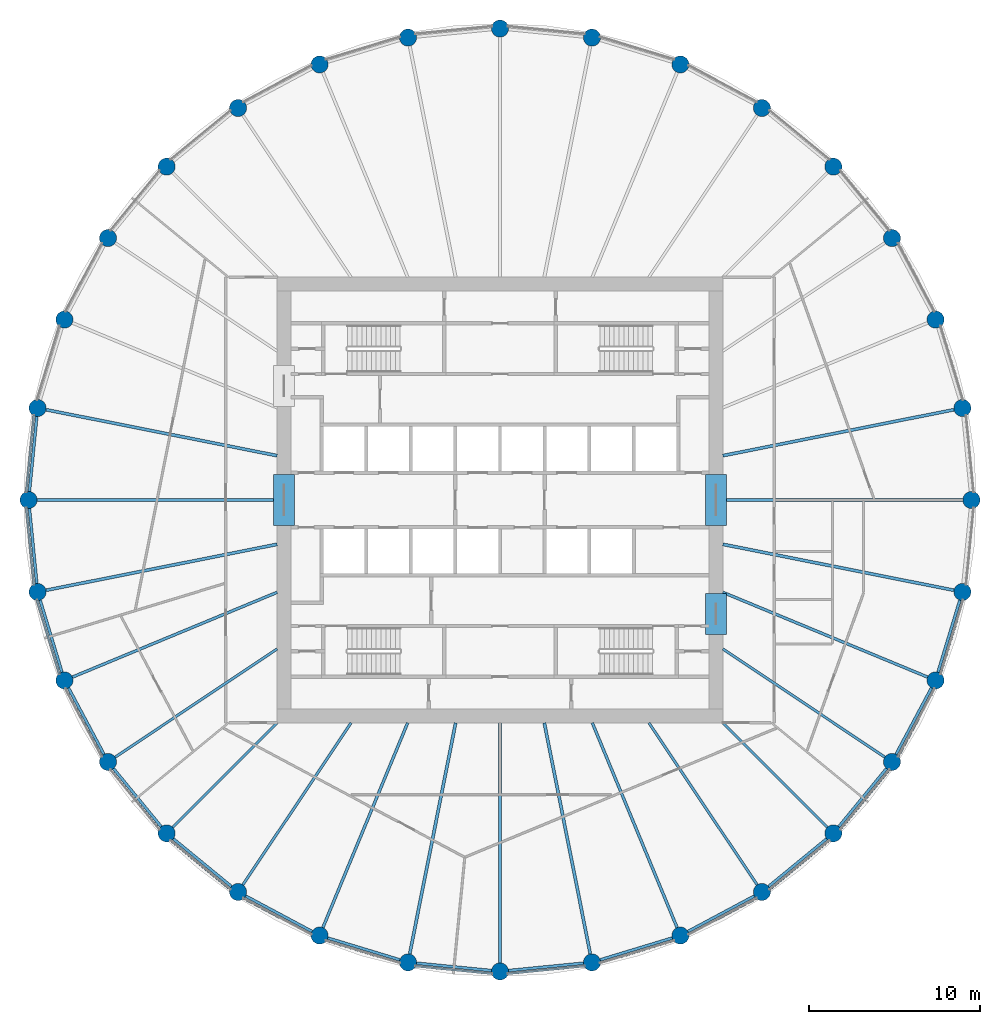
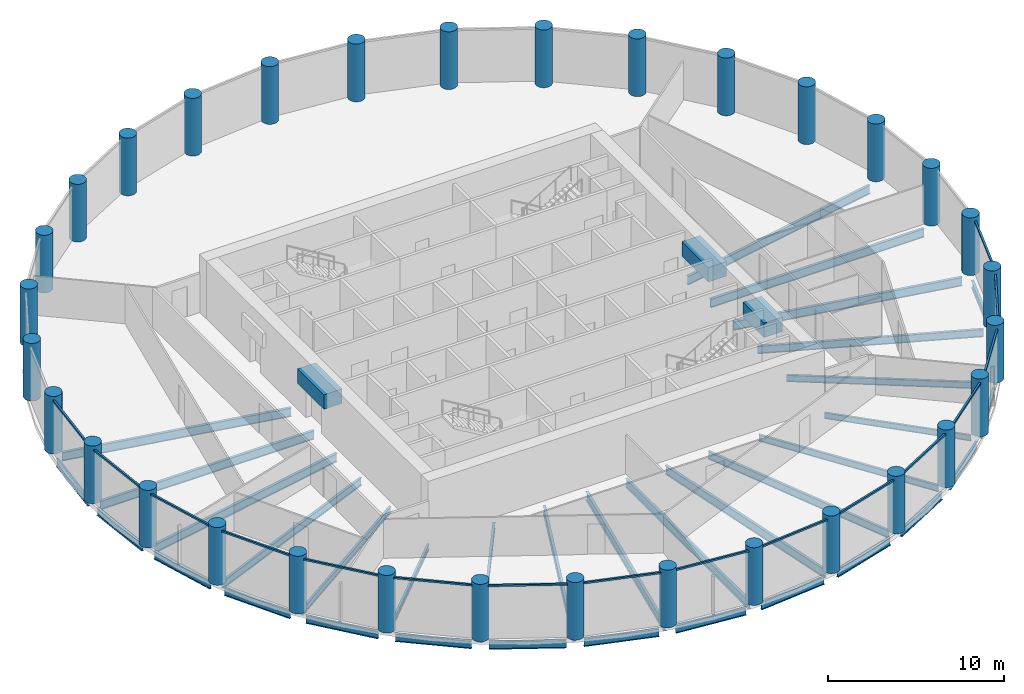
# One storey, part 1 of 8: 38 beams, 32 columns, 16 members, 16 elements without a shape of their own.
"""IFC4 building model written with IfcOpenShell, lengths in metres."""

from ifc_helpers import new_model, si_unit, direction, frame, origin, origin_2d, place, context, subcontext, project, spatial, rectangle, circle, i_section, extrude, material, material_profile, profile_set, type_object, element, aggregate, save


model = new_model("IFC4")

# Units and contexts
model_context = context("Model", 3, precision=1e-05, world=origin(), true_north=direction((0.0, 1.0)))
body_context = subcontext(model_context, "Body", "Model", "MODEL_VIEW")
ifc_project = project(units=[si_unit("LENGTHUNIT", "METRE"), si_unit("AREAUNIT", "SQUARE_METRE"), si_unit("VOLUMEUNIT", "CUBIC_METRE"), si_unit("PLANEANGLEUNIT", "RADIAN"), si_unit("MASSUNIT", "GRAM", prefix="KILO")], contexts=[model_context])

# Site, building, storey
site_placement = place(None, origin())
site = spatial("IfcSite", under=ifc_project, at=site_placement, CompositionType="ELEMENT")
building_placement = place(site_placement, origin())
building = spatial("IfcBuilding", under=site, at=building_placement, Name="Corvane Civic Tower", CompositionType="ELEMENT")
storey_placement = place(building_placement, frame((0.0, 0.0, 205.5)))
storey = spatial("IfcBuildingStorey", under=building, at=storey_placement, Name="L48", CompositionType="ELEMENT", Elevation=205.5)

# Columns
ifc_material_1 = material(Name="Concrete C60/75", Category="concrete")
ifc_material_profile_1 = material_profile(ifc_material_1, circle(Radius=0.5, at=origin_2d()), Name="COLUMN 1000")
ifc_profile_set_1 = profile_set([ifc_material_profile_1], Name="Concrete C60/75")
column_type = type_object("IfcColumnType", Name="RC COLUMN COLUMN 1000", PredefinedType="COLUMN", material=ifc_profile_set_1)
for number, where, z_axis, x_axis, name in (
    (1, (0.0, 27.5, 0.0), (0.0, 0.0, 1.0), (1.0, 0.0, 0.0), "COL-L48-D01"),
    (2, (5.364990234375, 26.9716796875, 0.0), (0.0, 0.0, 1.0), (1.0, 0.0, 0.0), "COL-L48-D02"),
    (3, (10.523681640625, 25.40673828125, 0.0), (0.0, 0.0, 1.0), (1.0, 0.0, 0.0), "COL-L48-D03"),
    (4, (15.278076171875, 22.865478515625, 0.0), (0.0, 0.0, 1.0), (1.0, 0.0, 0.0), "COL-L48-D04"),
    (5, (19.445556640625, 19.445556640625, 0.0), (0.0, 0.0, 1.0), (1.0, 0.0, 0.0), "COL-L48-D05"),
    (6, (22.865478515625, 15.278076171875, 0.0), (0.0, 0.0, 1.0), (1.0, 0.0, 0.0), "COL-L48-D06"),
    (7, (25.40673828125, 10.523681640625, 0.0), (0.0, 0.0, 1.0), (1.0, 0.0, 0.0), "COL-L48-D07"),
    (8, (26.9716796875, 5.364990234375, 0.0), (0.0, 0.0, 1.0), (1.0, 0.0, 0.0), "COL-L48-D08"),
    (9, (27.5, 0.0, 0.0), (0.0, 0.0, 1.0), (1.0, 0.0, 0.0), "COL-L48-D09"),
    (10, (26.9716796875, -5.364990234375, 0.0), (0.0, 0.0, 1.0), (1.0, 0.0, 0.0), "COL-L48-D10"),
    (11, (25.40673828125, -10.523681640625, 0.0), (0.0, 0.0, 1.0), (1.0, 0.0, 0.0), "COL-L48-D11"),
    (12, (22.865478515625, -15.278076171875, 0.0), (0.0, 0.0, 1.0), (1.0, 0.0, 0.0), "COL-L48-D12"),
    (13, (19.445556640625, -19.445556640625, 0.0), (0.0, 0.0, 1.0), (1.0, 0.0, 0.0), "COL-L48-D13"),
    (14, (15.278076171875, -22.865478515625, 0.0), (0.0, 0.0, 1.0), (1.0, 0.0, 0.0), "COL-L48-D14"),
    (15, (10.523681640625, -25.40673828125, 0.0), (0.0, 0.0, 1.0), (1.0, 0.0, 0.0), "COL-L48-D15"),
    (16, (5.364990234375, -26.9716796875, 0.0), (0.0, 0.0, 1.0), (1.0, 0.0, 0.0), "COL-L48-D16"),
    (17, (0.0, -27.5, 0.0), (0.0, 0.0, 1.0), (1.0, 0.0, 0.0), "COL-L48-D17"),
    (18, (-5.364990234375, -26.9716796875, 0.0), (0.0, 0.0, 1.0), (1.0, 0.0, 0.0), "COL-L48-D18"),
    (19, (-10.523681640625, -25.40673828125, 0.0), (0.0, 0.0, 1.0), (1.0, 0.0, 0.0), "COL-L48-D19"),
    (20, (-15.278076171875, -22.865478515625, 0.0), (0.0, 0.0, 1.0), (1.0, 0.0, 0.0), "COL-L48-D20"),
    (21, (-19.445556640625, -19.445556640625, 0.0), (0.0, 0.0, 1.0), (1.0, 0.0, 0.0), "COL-L48-D21"),
    (22, (-22.865478515625, -15.278076171875, 0.0), (0.0, 0.0, 1.0), (1.0, 0.0, 0.0), "COL-L48-D22"),
    (23, (-25.40673828125, -10.523681640625, 0.0), (0.0, 0.0, 1.0), (1.0, 0.0, 0.0), "COL-L48-D23"),
    (24, (-26.9716796875, -5.364990234375, 0.0), (0.0, 0.0, 1.0), (1.0, 0.0, 0.0), "COL-L48-D24"),
    (25, (-27.5, 0.0, 0.0), (0.0, 0.0, 1.0), (1.0, 0.0, 0.0), "COL-L48-D25"),
    (26, (-26.9716796875, 5.364990234375, 0.0), (0.0, 0.0, 1.0), (1.0, 0.0, 0.0), "COL-L48-D26"),
    (27, (-25.40673828125, 10.523681640625, 0.0), (0.0, 0.0, 1.0), (1.0, 0.0, 0.0), "COL-L48-D27"),
    (28, (-22.865478515625, 15.278076171875, 0.0), (0.0, 0.0, 1.0), (1.0, 0.0, 0.0), "COL-L48-D28"),
    (29, (-19.445556640625, 19.445556640625, 0.0), (0.0, 0.0, 1.0), (1.0, 0.0, 0.0), "COL-L48-D29"),
    (30, (-15.278076171875, 22.865478515625, 0.0), (0.0, 0.0, 1.0), (1.0, 0.0, 0.0), "COL-L48-D30"),
    (31, (-10.523681640625, 25.40673828125, 0.0), (0.0, 0.0, 1.0), (1.0, 0.0, 0.0), "COL-L48-D31"),
    (32, (-5.364990234375, 26.9716796875, 0.0), (0.0, 0.0, 1.0), (1.0, 0.0, 0.0), "COL-L48-D32"),
):
    element("IfcColumn", number, at=place(storey_placement, frame(where, z_axis=z_axis, x_axis=x_axis)), inside=storey, type_object=column_type, Name=name, PredefinedType="COLUMN", context=body_context, shape_type="SweptSolid", body=[
        extrude(circle(Radius=0.5, at=origin_2d()), origin(), (0.0, 0.0, 1.0), 4.0),
    ])

# Beams
ifc_material_2 = material(Name="Concrete C50/60", Category="concrete")
ifc_material_profile_2 = material_profile(ifc_material_2, rectangle(XDim=1.199951171875, YDim=1.0, at=origin_2d()), Name="COUPLING BEAM 1200X1000")
ifc_profile_set_2 = profile_set([ifc_material_profile_2], Name="Concrete C50/60")
beam_type_1 = type_object("IfcBeamType", Name="COUPLING BEAM COUPLING BEAM 1200X1000", PredefinedType="BEAM", material=ifc_profile_set_2)
for number, where, z_axis, x_axis, name in (
    (33, (-12.60009765625, -1.5, 2.60009765625), (0.0, 1.0, 0.0), (-1.0, 0.0, 0.0), "BM-L48-cpl-CW-LW"),
    (34, (12.60009765625, -1.5, 2.60009765625), (0.0, 1.0, 0.0), (-1.0, 0.0, 0.0), "BM-L48-cpl-CW-LE"),
):
    element("IfcBeam", number, at=place(storey_placement, frame(where, z_axis=z_axis, x_axis=x_axis)), inside=storey, type_object=beam_type_1, Name=name, PredefinedType="BEAM", context=body_context, shape_type="SweptSolid", body=[
        extrude(rectangle(XDim=1.199951171875, YDim=1.0, at=origin_2d()), origin(), (0.0, 0.0, 1.0), 3.0),
    ])
beam_1_placement = place(storey_placement, frame((12.60009765625, -7.85009765625, 2.60009765625), z_axis=(0.0, 1.0, 0.0), x_axis=(-1.0, 0.0, 0.0)))
element("IfcBeam", 35, at=beam_1_placement, inside=storey, type_object=beam_type_1, Name="BM-L48-cpl-CW-ES", PredefinedType="BEAM", context=body_context, shape_type="SweptSolid", body=[
    extrude(rectangle(XDim=1.199951171875, YDim=1.0, at=origin_2d()), origin(), (0.0, 0.0, 1.0), 2.400146484375),
])
ifc_material_3 = material(Name="Steel ASTM A992 Gr 50", Category="steel")
ifc_material_profile_3 = material_profile(ifc_material_3, i_section(OverallWidth=0.165771484375, OverallDepth=0.5283203125, WebThickness=0.009765625, FlangeThickness=0.013671875, at=origin_2d()), Name="W21X50")
ifc_profile_set_3 = profile_set([ifc_material_profile_3], Name="Steel ASTM A992 Gr 50")
beam_type_2 = type_object("IfcBeamType", Name="EDGE BEAM W21X50", PredefinedType="BEAM", material=ifc_profile_set_3)
beam_2_placement = place(storey_placement, frame((26.826416015625, -5.843505859375, -0.564208984375), z_axis=(-0.290254307888, -0.956949547653, 0.0), x_axis=(0.956949547653, -0.290254307888, 0.0)))
element("IfcBeam", 36, at=beam_2_placement, inside=storey, type_object=beam_type_2, Name="BM-L48-E10", PredefinedType="BEAM", context=body_context, shape_type="SweptSolid", body=[
    extrude(i_section(OverallWidth=0.165771484375, OverallDepth=0.5283203125, WebThickness=0.009765625, FlangeThickness=0.013671875, at=origin_2d()), origin(), (0.0, 0.0, 1.0), 4.390625),
])
for number, where, z_axis, x_axis, name in (
    (37, (25.171142578125, -10.964599609375, -0.564208984375), (-0.471422006704, -0.881907756852, 0.0), (0.881907756852, -0.471422006704, 0.0), "BM-L48-E11"),
    (38, (22.54833984375, -15.66455078125, -0.564208984375), (-0.634369433447, -0.773030026524, 0.0), (0.773030026524, -0.634369433447, 0.0), "BM-L48-E12"),
    (39, (19.05908203125, -19.7626953125, -0.564208984375), (-0.773030026524, -0.634369433447, 0.0), (0.634369433447, -0.773030026524, 0.0), "BM-L48-E13"),
    (40, (14.837158203125, -23.10107421875, -0.564208984375), (-0.881907756852, -0.471422006704, 0.0), (0.471422006704, -0.881907756852, 0.0), "BM-L48-E14"),
):
    element("IfcBeam", number, at=place(storey_placement, frame(where, z_axis=z_axis, x_axis=x_axis)), inside=storey, type_object=beam_type_2, Name=name, PredefinedType="BEAM", context=body_context, shape_type="SweptSolid", body=[
        extrude(i_section(OverallWidth=0.165771484375, OverallDepth=0.5283203125, WebThickness=0.009765625, FlangeThickness=0.013671875, at=origin_2d()), origin(), (0.0, 0.0, 1.0), 4.39111328125),
    ])
beam_3_placement = place(storey_placement, frame((10.045166015625, -25.552001953125, -0.564208984375), z_axis=(-0.956949547653, -0.290254307888, 0.0), x_axis=(0.290254307888, -0.956949547653, 0.0)))
element("IfcBeam", 41, at=beam_3_placement, inside=storey, type_object=beam_type_2, Name="BM-L48-E15", PredefinedType="BEAM", context=body_context, shape_type="SweptSolid", body=[
    extrude(i_section(OverallWidth=0.165771484375, OverallDepth=0.5283203125, WebThickness=0.009765625, FlangeThickness=0.013671875, at=origin_2d()), origin(), (0.0, 0.0, 1.0), 4.390625),
])
for number, where, z_axis, x_axis, name in (
    (42, (4.867431640625, -27.020751953125, -0.564208984375), (-0.995189593769, -0.097967711281, 0.0), (0.097967711281, -0.995189593769, 0.0), "BM-L48-E16"),
    (43, (-0.49755859375, -27.450927734375, -0.564208984375), (-0.995189593769, 0.097967711281, 0.0), (-0.097967711281, -0.995189593769, 0.0), "BM-L48-E17"),
):
    element("IfcBeam", number, at=place(storey_placement, frame(where, z_axis=z_axis, x_axis=x_axis)), inside=storey, type_object=beam_type_2, Name=name, PredefinedType="BEAM", context=body_context, shape_type="SweptSolid", body=[
        extrude(i_section(OverallWidth=0.165771484375, OverallDepth=0.5283203125, WebThickness=0.009765625, FlangeThickness=0.013671875, at=origin_2d()), origin(), (0.0, 0.0, 1.0), 4.39111328125),
    ])
beam_4_placement = place(storey_placement, frame((-5.843505859375, -26.826416015625, -0.564208984375), z_axis=(-0.956949547653, 0.290254307888, 0.0), x_axis=(-0.290254307888, -0.956949547653, 0.0)))
element("IfcBeam", 44, at=beam_4_placement, inside=storey, type_object=beam_type_2, Name="BM-L48-E18", PredefinedType="BEAM", context=body_context, shape_type="SweptSolid", body=[
    extrude(i_section(OverallWidth=0.165771484375, OverallDepth=0.5283203125, WebThickness=0.009765625, FlangeThickness=0.013671875, at=origin_2d()), origin(), (0.0, 0.0, 1.0), 4.390625),
])
for number, where, z_axis, x_axis, name in (
    (45, (-10.964599609375, -25.171142578125, -0.564208984375), (-0.881907756852, 0.471422006704, 0.0), (-0.471422006704, -0.881907756852, 0.0), "BM-L48-E19"),
    (46, (-15.66455078125, -22.54833984375, -0.564208984375), (-0.773030026524, 0.634369433447, 0.0), (-0.634369433447, -0.773030026524, 0.0), "BM-L48-E20"),
    (47, (-19.7626953125, -19.05908203125, -0.564208984375), (-0.634369433447, 0.773030026524, 0.0), (-0.773030026524, -0.634369433447, 0.0), "BM-L48-E21"),
    (48, (-23.10107421875, -14.837158203125, -0.564208984375), (-0.471422006704, 0.881907756852, 0.0), (-0.881907756852, -0.471422006704, 0.0), "BM-L48-E22"),
):
    element("IfcBeam", number, at=place(storey_placement, frame(where, z_axis=z_axis, x_axis=x_axis)), inside=storey, type_object=beam_type_2, Name=name, PredefinedType="BEAM", context=body_context, shape_type="SweptSolid", body=[
        extrude(i_section(OverallWidth=0.165771484375, OverallDepth=0.5283203125, WebThickness=0.009765625, FlangeThickness=0.013671875, at=origin_2d()), origin(), (0.0, 0.0, 1.0), 4.39111328125),
    ])
beam_5_placement = place(storey_placement, frame((-25.552001953125, -10.045166015625, -0.564208984375), z_axis=(-0.290254307888, 0.956949547653, 0.0), x_axis=(-0.956949547653, -0.290254307888, 0.0)))
element("IfcBeam", 49, at=beam_5_placement, inside=storey, type_object=beam_type_2, Name="BM-L48-E23", PredefinedType="BEAM", context=body_context, shape_type="SweptSolid", body=[
    extrude(i_section(OverallWidth=0.165771484375, OverallDepth=0.5283203125, WebThickness=0.009765625, FlangeThickness=0.013671875, at=origin_2d()), origin(), (0.0, 0.0, 1.0), 4.390625),
])
for number, where, z_axis, x_axis, name in (
    (50, (-27.020751953125, -4.867431640625, -0.564208984375), (-0.097967711281, 0.995189593769, 0.0), (-0.995189593769, -0.097967711281, 0.0), "BM-L48-E24"),
    (51, (-27.450927734375, 0.49755859375, -0.564208984375), (0.097967711281, 0.995189593769, 0.0), (-0.995189593769, 0.097967711281, 0.0), "BM-L48-E25"),
):
    element("IfcBeam", number, at=place(storey_placement, frame(where, z_axis=z_axis, x_axis=x_axis)), inside=storey, type_object=beam_type_2, Name=name, PredefinedType="BEAM", context=body_context, shape_type="SweptSolid", body=[
        extrude(i_section(OverallWidth=0.165771484375, OverallDepth=0.5283203125, WebThickness=0.009765625, FlangeThickness=0.013671875, at=origin_2d()), origin(), (0.0, 0.0, 1.0), 4.39111328125),
    ])
ifc_material_4 = material(Name="Steel ASTM A992 Gr 50", Category="steel")
ifc_material_profile_4 = material_profile(ifc_material_4, i_section(OverallWidth=0.140380859375, OverallDepth=0.40380859375, WebThickness=0.007080078125, FlangeThickness=0.01123046875, at=origin_2d()), Name="W16X31")
ifc_profile_set_4 = profile_set([ifc_material_profile_4], Name="Steel ASTM A992 Gr 50")
beam_type_3 = type_object("IfcBeamType", Name="FLOOR GIRDER W16X31", PredefinedType="BEAM", material=ifc_profile_set_4)
for number, where, z_axis, x_axis, name in (
    (52, (13.0, -13.0, -0.501953125), (0.707106781187, -0.707106781187, 0.0), (0.707106781187, 0.707106781187, 0.0), "BM-L48-G13"),
    (53, (-13.0, -13.0, -0.501953125), (-0.707106781187, -0.707106781187, 0.0), (0.707106781187, -0.707106781187, 0.0), "BM-L48-G21"),
):
    element("IfcBeam", number, at=place(storey_placement, frame(where, z_axis=z_axis, x_axis=x_axis)), inside=storey, type_object=beam_type_3, Name=name, PredefinedType="BEAM", context=body_context, shape_type="SweptSolid", body=[
        extrude(i_section(OverallWidth=0.140380859375, OverallDepth=0.40380859375, WebThickness=0.007080078125, FlangeThickness=0.01123046875, at=origin_2d()), origin(), (0.0, 0.0, 1.0), 8.614990234375),
    ])
ifc_material_5 = material(Name="Steel ASTM A992 Gr 50", Category="steel")
ifc_material_profile_5 = material_profile(ifc_material_5, i_section(OverallWidth=0.15283203125, OverallDepth=0.45458984375, WebThickness=0.008056640625, FlangeThickness=0.013427734375, at=origin_2d()), Name="W18X40")
ifc_profile_set_5 = profile_set([ifc_material_profile_5], Name="Steel ASTM A992 Gr 50")
beam_type_4 = type_object("IfcBeamType", Name="FLOOR GIRDER W18X40", PredefinedType="BEAM", material=ifc_profile_set_5)
for number, where, z_axis, x_axis, name in (
    (54, (13.0, -8.686279296875, -0.52734375), (0.831464872557, -0.555577326485, 0.0), (0.555577326485, 0.831464872557, 0.0), "BM-L48-G12"),
    (55, (8.686279296875, -13.0, -0.52734375), (0.555577326485, -0.831464872557, 0.0), (0.831464872557, 0.555577326485, 0.0), "BM-L48-G14"),
    (56, (-8.686279296875, -13.0, -0.52734375), (-0.555577326485, -0.831464872557, 0.0), (0.831464872557, -0.555577326485, 0.0), "BM-L48-G20"),
    (57, (-13.0, -8.686279296875, -0.52734375), (-0.831464872557, -0.555577326485, 0.0), (0.555577326485, -0.831464872557, 0.0), "BM-L48-G22"),
):
    element("IfcBeam", number, at=place(storey_placement, frame(where, z_axis=z_axis, x_axis=x_axis)), inside=storey, type_object=beam_type_4, Name=name, PredefinedType="BEAM", context=body_context, shape_type="SweptSolid", body=[
        extrude(i_section(OverallWidth=0.15283203125, OverallDepth=0.45458984375, WebThickness=0.008056640625, FlangeThickness=0.013427734375, at=origin_2d()), origin(), (0.0, 0.0, 1.0), 11.365234375),
    ])
ifc_material_6 = material(Name="Steel ASTM A992 Gr 50", Category="steel")
ifc_material_profile_6 = material_profile(ifc_material_6, i_section(OverallWidth=0.165771484375, OverallDepth=0.5283203125, WebThickness=0.009765625, FlangeThickness=0.013671875, at=origin_2d()), Name="W21X50")
ifc_profile_set_6 = profile_set([ifc_material_profile_6], Name="Steel ASTM A992 Gr 50")
beam_type_5 = type_object("IfcBeamType", Name="FLOOR GIRDER W21X50", PredefinedType="BEAM", material=ifc_profile_set_6)
for number, where, z_axis, x_axis, name in (
    (58, (13.0, -5.384765625, -0.564208984375), (0.923878282404, -0.382686450378, 0.0), (0.382686450378, 0.923878282404, 0.0), "BM-L48-G11"),
    (59, (5.384765625, -13.0, -0.564208984375), (0.382686450378, -0.923878282404, 0.0), (0.923878282404, 0.382686450378, 0.0), "BM-L48-G15"),
    (60, (-5.384765625, -13.0, -0.564208984375), (-0.382686450378, -0.923878282404, 0.0), (0.923878282404, -0.382686450378, 0.0), "BM-L48-G19"),
    (61, (-13.0, -5.384765625, -0.564208984375), (-0.923878282404, -0.382686450378, 0.0), (0.382686450378, -0.923878282404, 0.0), "BM-L48-G23"),
):
    element("IfcBeam", number, at=place(storey_placement, frame(where, z_axis=z_axis, x_axis=x_axis)), inside=storey, type_object=beam_type_5, Name=name, PredefinedType="BEAM", context=body_context, shape_type="SweptSolid", body=[
        extrude(i_section(OverallWidth=0.165771484375, OverallDepth=0.5283203125, WebThickness=0.009765625, FlangeThickness=0.013671875, at=origin_2d()), origin(), (0.0, 0.0, 1.0), 12.928955078125),
    ])
ifc_material_7 = material(Name="Steel ASTM A992 Gr 50", Category="steel")
ifc_material_profile_7 = material_profile(ifc_material_7, i_section(OverallWidth=0.177978515625, OverallDepth=0.599365234375, WebThickness=0.010009765625, FlangeThickness=0.012939453125, at=origin_2d()), Name="W24X55")
ifc_profile_set_7 = profile_set([ifc_material_profile_7], Name="Steel ASTM A992 Gr 50")
beam_type_6 = type_object("IfcBeamType", Name="FLOOR GIRDER W24X55", PredefinedType="BEAM", material=ifc_profile_set_7)
beam_6_placement = place(storey_placement, frame((13.0, 2.5859375, -0.599609375), z_axis=(0.980787802109, 0.195077644118, 0.0), x_axis=(-0.195077644118, 0.980787802109, 0.0)))
element("IfcBeam", 62, at=beam_6_placement, inside=storey, type_object=beam_type_6, Name="BM-L48-G08", PredefinedType="BEAM", context=body_context, shape_type="SweptSolid", body=[
    extrude(i_section(OverallWidth=0.177978515625, OverallDepth=0.599365234375, WebThickness=0.010009765625, FlangeThickness=0.012939453125, at=origin_2d()), origin(), (0.0, 0.0, 1.0), 13.745361328125),
])
beam_7_placement = place(storey_placement, frame((13.0, 0.0, -0.599609375), z_axis=(1.0, 0.0, 0.0), x_axis=(0.0, 1.0, 0.0)))
element("IfcBeam", 63, at=beam_7_placement, inside=storey, type_object=beam_type_6, Name="BM-L48-G09", PredefinedType="BEAM", context=body_context, shape_type="SweptSolid", body=[
    extrude(i_section(OverallWidth=0.177978515625, OverallDepth=0.599365234375, WebThickness=0.010009765625, FlangeThickness=0.012939453125, at=origin_2d()), origin(), (0.0, 0.0, 1.0), 14.0),
])
for number, where, z_axis, x_axis, name in (
    (64, (13.0, -2.5859375, -0.599609375), (0.980787802109, -0.195077644118, 0.0), (0.195077644118, 0.980787802109, 0.0), "BM-L48-G10"),
    (65, (2.5859375, -13.0, -0.599609375), (0.195077644118, -0.980787802109, 0.0), (0.980787802109, 0.195077644118, 0.0), "BM-L48-G16"),
):
    element("IfcBeam", number, at=place(storey_placement, frame(where, z_axis=z_axis, x_axis=x_axis)), inside=storey, type_object=beam_type_6, Name=name, PredefinedType="BEAM", context=body_context, shape_type="SweptSolid", body=[
        extrude(i_section(OverallWidth=0.177978515625, OverallDepth=0.599365234375, WebThickness=0.010009765625, FlangeThickness=0.012939453125, at=origin_2d()), origin(), (0.0, 0.0, 1.0), 13.745361328125),
    ])
beam_8_placement = place(storey_placement, frame((0.0, -13.0, -0.599609375), z_axis=(0.0, -1.0, 0.0), x_axis=(1.0, 0.0, 0.0)))
element("IfcBeam", 66, at=beam_8_placement, inside=storey, type_object=beam_type_6, Name="BM-L48-G17", PredefinedType="BEAM", context=body_context, shape_type="SweptSolid", body=[
    extrude(i_section(OverallWidth=0.177978515625, OverallDepth=0.599365234375, WebThickness=0.010009765625, FlangeThickness=0.012939453125, at=origin_2d()), origin(), (0.0, 0.0, 1.0), 14.0),
])
for number, where, z_axis, x_axis, name in (
    (67, (-2.5859375, -13.0, -0.599609375), (-0.195077644118, -0.980787802109, 0.0), (0.980787802109, -0.195077644118, 0.0), "BM-L48-G18"),
    (68, (-13.0, -2.5859375, -0.599609375), (-0.980787802109, -0.195077644118, 0.0), (0.195077644118, -0.980787802109, 0.0), "BM-L48-G24"),
):
    element("IfcBeam", number, at=place(storey_placement, frame(where, z_axis=z_axis, x_axis=x_axis)), inside=storey, type_object=beam_type_6, Name=name, PredefinedType="BEAM", context=body_context, shape_type="SweptSolid", body=[
        extrude(i_section(OverallWidth=0.177978515625, OverallDepth=0.599365234375, WebThickness=0.010009765625, FlangeThickness=0.012939453125, at=origin_2d()), origin(), (0.0, 0.0, 1.0), 13.745361328125),
    ])
beam_9_placement = place(storey_placement, frame((-13.0, 0.0, -0.599609375), z_axis=(-1.0, 0.0, 0.0), x_axis=(0.0, -1.0, 0.0)))
element("IfcBeam", 69, at=beam_9_placement, inside=storey, type_object=beam_type_6, Name="BM-L48-G25", PredefinedType="BEAM", context=body_context, shape_type="SweptSolid", body=[
    extrude(i_section(OverallWidth=0.177978515625, OverallDepth=0.599365234375, WebThickness=0.010009765625, FlangeThickness=0.012939453125, at=origin_2d()), origin(), (0.0, 0.0, 1.0), 14.0),
])
beam_10_placement = place(storey_placement, frame((-13.0, 2.5859375, -0.599609375), z_axis=(-0.980787802109, 0.195077644118, 0.0), x_axis=(-0.195077644118, -0.980787802109, 0.0)))
element("IfcBeam", 70, at=beam_10_placement, inside=storey, type_object=beam_type_6, Name="BM-L48-G26", PredefinedType="BEAM", context=body_context, shape_type="SweptSolid", body=[
    extrude(i_section(OverallWidth=0.177978515625, OverallDepth=0.599365234375, WebThickness=0.010009765625, FlangeThickness=0.012939453125, at=origin_2d()), origin(), (0.0, 0.0, 1.0), 13.745361328125),
])

# Curtain wall, member
ifc_material_8 = material(Name="Anodised aluminium bronze", Category="aluminium")
curtain_wall_type = type_object("IfcCurtainWallType", Name="TOWER CW-T2 STICK CURTAIN WALL", PredefinedType="NOTDEFINED", material=ifc_material_8)
curtain_wall_1_placement = place(storey_placement, origin())
curtain_wall_1 = element("IfcCurtainWall", 71, at=curtain_wall_1_placement, inside=storey, type_object=curtain_wall_type, Name="Curtain wall CW-T2 L48 bay 10", PredefinedType="NOTDEFINED")
ifc_material_9 = material(Name="Anodised aluminium bronze", Category="aluminium")
ifc_material_profile_8 = material_profile(ifc_material_9, rectangle(XDim=0.1201171875, YDim=0.1201171875, at=origin_2d()), Name="TOWER CW-T2 TRANSOM 120x120")
ifc_profile_set_8 = profile_set([ifc_material_profile_8], Name="Anodised aluminium bronze")
member_type = type_object("IfcMemberType", Name="TOWER CW-T2 TRANSOM 120x120", PredefinedType="USERDEFINED", material=ifc_profile_set_8)
member_1_placement = place(storey_placement, frame((27.016357421875, -5.8349609375, 3.68994140625), z_axis=(-0.2902818869, -0.956941182173, 0.0), x_axis=(0.956941182173, -0.2902818869, 0.0)))
member_1 = element("IfcMember", 72, at=member_1_placement, type_object=member_type, Name="Transom CW-T2 L48 10.1", ObjectType="TRANSOM", PredefinedType="USERDEFINED", context=body_context, shape_type="SweptSolid", body=[
    extrude(rectangle(XDim=0.1201171875, YDim=0.1201171875, at=origin_2d()), origin(), (0.0, 0.0, 1.0), 4.517333984375),
])
aggregate(curtain_wall_1, [member_1])

curtain_wall_2_placement = place(storey_placement, origin())
curtain_wall_2 = element("IfcCurtainWall", 73, at=curtain_wall_2_placement, inside=storey, type_object=curtain_wall_type, Name="Curtain wall CW-T2 L48 bay 11", PredefinedType="NOTDEFINED")
member_2_placement = place(storey_placement, frame((25.35888671875, -10.993408203125, 3.68994140625), z_axis=(-0.471390317183, -0.881924695689, 0.0), x_axis=(0.881924695689, -0.471390317183, 0.0)))
member_2 = element("IfcMember", 74, at=member_2_placement, type_object=member_type, Name="Transom CW-T2 L48 11.1", ObjectType="TRANSOM", PredefinedType="USERDEFINED", context=body_context, shape_type="SweptSolid", body=[
    extrude(rectangle(XDim=0.1201171875, YDim=0.1201171875, at=origin_2d()), origin(), (0.0, 0.0, 1.0), 4.517333984375),
])
aggregate(curtain_wall_2, [member_2])

curtain_wall_3_placement = place(storey_placement, origin())
curtain_wall_3 = element("IfcCurtainWall", 75, at=curtain_wall_3_placement, inside=storey, type_object=curtain_wall_type, Name="Curtain wall CW-T2 L48 bay 12", PredefinedType="NOTDEFINED")
member_3_placement = place(storey_placement, frame((22.726806640625, -15.7294921875, 3.68994140625), z_axis=(-0.634387834569, -0.773014925698, 0.0), x_axis=(0.773014925698, -0.634387834569, 0.0)))
member_3 = element("IfcMember", 76, at=member_3_placement, type_object=member_type, Name="Transom CW-T2 L48 12.1", ObjectType="TRANSOM", PredefinedType="USERDEFINED", context=body_context, shape_type="SweptSolid", body=[
    extrude(rectangle(XDim=0.1201171875, YDim=0.1201171875, at=origin_2d()), origin(), (0.0, 0.0, 1.0), 4.517333984375),
])
aggregate(curtain_wall_3, [member_3])

curtain_wall_4_placement = place(storey_placement, origin())
curtain_wall_4 = element("IfcCurtainWall", 77, at=curtain_wall_4_placement, inside=storey, type_object=curtain_wall_type, Name="Curtain wall CW-T2 L48 bay 13", PredefinedType="NOTDEFINED")
member_4_placement = place(storey_placement, frame((19.221435546875, -19.861083984375, 3.68994140625), z_axis=(-0.773014925698, -0.634387834569, 0.0), x_axis=(0.634387834569, -0.773014925698, 0.0)))
member_4 = element("IfcMember", 78, at=member_4_placement, type_object=member_type, Name="Transom CW-T2 L48 13.1", ObjectType="TRANSOM", PredefinedType="USERDEFINED", context=body_context, shape_type="SweptSolid", body=[
    extrude(rectangle(XDim=0.1201171875, YDim=0.1201171875, at=origin_2d()), origin(), (0.0, 0.0, 1.0), 4.517333984375),
])
aggregate(curtain_wall_4, [member_4])

curtain_wall_5_placement = place(storey_placement, origin())
curtain_wall_5 = element("IfcCurtainWall", 79, at=curtain_wall_5_placement, inside=storey, type_object=curtain_wall_type, Name="Curtain wall CW-T2 L48 bay 14", PredefinedType="NOTDEFINED")
member_5_placement = place(storey_placement, frame((14.977294921875, -23.2294921875, 3.68994140625), z_axis=(-0.881924695689, -0.471390317183, 0.0), x_axis=(0.471390317183, -0.881924695689, 0.0)))
member_5 = element("IfcMember", 80, at=member_5_placement, type_object=member_type, Name="Transom CW-T2 L48 14.1", ObjectType="TRANSOM", PredefinedType="USERDEFINED", context=body_context, shape_type="SweptSolid", body=[
    extrude(rectangle(XDim=0.1201171875, YDim=0.1201171875, at=origin_2d()), origin(), (0.0, 0.0, 1.0), 4.517333984375),
])
aggregate(curtain_wall_5, [member_5])

curtain_wall_6_placement = place(storey_placement, origin())
curtain_wall_6 = element("IfcCurtainWall", 81, at=curtain_wall_6_placement, inside=storey, type_object=curtain_wall_type, Name="Curtain wall CW-T2 L48 bay 15", PredefinedType="NOTDEFINED")
member_6_placement = place(storey_placement, frame((10.15771484375, -25.705078125, 3.68994140625), z_axis=(-0.956941182173, -0.2902818869, 0.0), x_axis=(0.2902818869, -0.956941182173, 0.0)))
member_6 = element("IfcMember", 82, at=member_6_placement, type_object=member_type, Name="Transom CW-T2 L48 15.1", ObjectType="TRANSOM", PredefinedType="USERDEFINED", context=body_context, shape_type="SweptSolid", body=[
    extrude(rectangle(XDim=0.1201171875, YDim=0.1201171875, at=origin_2d()), origin(), (0.0, 0.0, 1.0), 4.517333984375),
])
aggregate(curtain_wall_6, [member_6])

curtain_wall_7_placement = place(storey_placement, origin())
curtain_wall_7 = element("IfcCurtainWall", 83, at=curtain_wall_7_placement, inside=storey, type_object=curtain_wall_type, Name="Curtain wall CW-T2 L48 bay 16", PredefinedType="NOTDEFINED")
member_7_placement = place(storey_placement, frame((4.94775390625, -27.192626953125, 3.68994140625), z_axis=(-0.995182207386, -0.098042715701, 0.0), x_axis=(0.098042715701, -0.995182207386, 0.0)))
member_7 = element("IfcMember", 84, at=member_7_placement, type_object=member_type, Name="Transom CW-T2 L48 16.1", ObjectType="TRANSOM", PredefinedType="USERDEFINED", context=body_context, shape_type="SweptSolid", body=[
    extrude(rectangle(XDim=0.1201171875, YDim=0.1201171875, at=origin_2d()), origin(), (0.0, 0.0, 1.0), 4.51708984375),
])
aggregate(curtain_wall_7, [member_7])

curtain_wall_8_placement = place(storey_placement, origin())
curtain_wall_8 = element("IfcCurtainWall", 85, at=curtain_wall_8_placement, inside=storey, type_object=curtain_wall_type, Name="Curtain wall CW-T2 L48 bay 17", PredefinedType="NOTDEFINED")
member_8_placement = place(storey_placement, frame((-0.452392578125, -27.635498046875, 3.68994140625), z_axis=(-0.995182207386, 0.098042715701, 0.0), x_axis=(-0.098042715701, -0.995182207386, 0.0)))
member_8 = element("IfcMember", 86, at=member_8_placement, type_object=member_type, Name="Transom CW-T2 L48 17.1", ObjectType="TRANSOM", PredefinedType="USERDEFINED", context=body_context, shape_type="SweptSolid", body=[
    extrude(rectangle(XDim=0.1201171875, YDim=0.1201171875, at=origin_2d()), origin(), (0.0, 0.0, 1.0), 4.51708984375),
])
aggregate(curtain_wall_8, [member_8])

curtain_wall_9_placement = place(storey_placement, origin())
curtain_wall_9 = element("IfcCurtainWall", 87, at=curtain_wall_9_placement, inside=storey, type_object=curtain_wall_type, Name="Curtain wall CW-T2 L48 bay 18", PredefinedType="NOTDEFINED")
member_9_placement = place(storey_placement, frame((-5.8349609375, -27.016357421875, 3.68994140625), z_axis=(-0.956941182173, 0.2902818869, 0.0), x_axis=(-0.2902818869, -0.956941182173, 0.0)))
member_9 = element("IfcMember", 88, at=member_9_placement, type_object=member_type, Name="Transom CW-T2 L48 18.1", ObjectType="TRANSOM", PredefinedType="USERDEFINED", context=body_context, shape_type="SweptSolid", body=[
    extrude(rectangle(XDim=0.1201171875, YDim=0.1201171875, at=origin_2d()), origin(), (0.0, 0.0, 1.0), 4.517333984375),
])
aggregate(curtain_wall_9, [member_9])

curtain_wall_10_placement = place(storey_placement, origin())
curtain_wall_10 = element("IfcCurtainWall", 89, at=curtain_wall_10_placement, inside=storey, type_object=curtain_wall_type, Name="Curtain wall CW-T2 L48 bay 19", PredefinedType="NOTDEFINED")
member_10_placement = place(storey_placement, frame((-10.993408203125, -25.35888671875, 3.68994140625), z_axis=(-0.881924695689, 0.471390317183, 0.0), x_axis=(-0.471390317183, -0.881924695689, 0.0)))
member_10 = element("IfcMember", 90, at=member_10_placement, type_object=member_type, Name="Transom CW-T2 L48 19.1", ObjectType="TRANSOM", PredefinedType="USERDEFINED", context=body_context, shape_type="SweptSolid", body=[
    extrude(rectangle(XDim=0.1201171875, YDim=0.1201171875, at=origin_2d()), origin(), (0.0, 0.0, 1.0), 4.517333984375),
])
aggregate(curtain_wall_10, [member_10])

curtain_wall_11_placement = place(storey_placement, origin())
curtain_wall_11 = element("IfcCurtainWall", 91, at=curtain_wall_11_placement, inside=storey, type_object=curtain_wall_type, Name="Curtain wall CW-T2 L48 bay 20", PredefinedType="NOTDEFINED")
member_11_placement = place(storey_placement, frame((-15.7294921875, -22.726806640625, 3.68994140625), z_axis=(-0.773014925698, 0.634387834569, 0.0), x_axis=(-0.634387834569, -0.773014925698, 0.0)))
member_11 = element("IfcMember", 92, at=member_11_placement, type_object=member_type, Name="Transom CW-T2 L48 20.1", ObjectType="TRANSOM", PredefinedType="USERDEFINED", context=body_context, shape_type="SweptSolid", body=[
    extrude(rectangle(XDim=0.1201171875, YDim=0.1201171875, at=origin_2d()), origin(), (0.0, 0.0, 1.0), 4.517333984375),
])
aggregate(curtain_wall_11, [member_11])

curtain_wall_12_placement = place(storey_placement, origin())
curtain_wall_12 = element("IfcCurtainWall", 93, at=curtain_wall_12_placement, inside=storey, type_object=curtain_wall_type, Name="Curtain wall CW-T2 L48 bay 21", PredefinedType="NOTDEFINED")
member_12_placement = place(storey_placement, frame((-19.861083984375, -19.221435546875, 3.68994140625), z_axis=(-0.634387834569, 0.773014925698, 0.0), x_axis=(-0.773014925698, -0.634387834569, 0.0)))
member_12 = element("IfcMember", 94, at=member_12_placement, type_object=member_type, Name="Transom CW-T2 L48 21.1", ObjectType="TRANSOM", PredefinedType="USERDEFINED", context=body_context, shape_type="SweptSolid", body=[
    extrude(rectangle(XDim=0.1201171875, YDim=0.1201171875, at=origin_2d()), origin(), (0.0, 0.0, 1.0), 4.517333984375),
])
aggregate(curtain_wall_12, [member_12])

curtain_wall_13_placement = place(storey_placement, origin())
curtain_wall_13 = element("IfcCurtainWall", 95, at=curtain_wall_13_placement, inside=storey, type_object=curtain_wall_type, Name="Curtain wall CW-T2 L48 bay 22", PredefinedType="NOTDEFINED")
member_13_placement = place(storey_placement, frame((-23.2294921875, -14.977294921875, 3.68994140625), z_axis=(-0.471390317183, 0.881924695689, 0.0), x_axis=(-0.881924695689, -0.471390317183, 0.0)))
member_13 = element("IfcMember", 96, at=member_13_placement, type_object=member_type, Name="Transom CW-T2 L48 22.1", ObjectType="TRANSOM", PredefinedType="USERDEFINED", context=body_context, shape_type="SweptSolid", body=[
    extrude(rectangle(XDim=0.1201171875, YDim=0.1201171875, at=origin_2d()), origin(), (0.0, 0.0, 1.0), 4.517333984375),
])
aggregate(curtain_wall_13, [member_13])

curtain_wall_14_placement = place(storey_placement, origin())
curtain_wall_14 = element("IfcCurtainWall", 97, at=curtain_wall_14_placement, inside=storey, type_object=curtain_wall_type, Name="Curtain wall CW-T2 L48 bay 23", PredefinedType="NOTDEFINED")
member_14_placement = place(storey_placement, frame((-25.705078125, -10.15771484375, 3.68994140625), z_axis=(-0.2902818869, 0.956941182173, 0.0), x_axis=(-0.956941182173, -0.2902818869, 0.0)))
member_14 = element("IfcMember", 98, at=member_14_placement, type_object=member_type, Name="Transom CW-T2 L48 23.1", ObjectType="TRANSOM", PredefinedType="USERDEFINED", context=body_context, shape_type="SweptSolid", body=[
    extrude(rectangle(XDim=0.1201171875, YDim=0.1201171875, at=origin_2d()), origin(), (0.0, 0.0, 1.0), 4.517333984375),
])
aggregate(curtain_wall_14, [member_14])

curtain_wall_15_placement = place(storey_placement, origin())
curtain_wall_15 = element("IfcCurtainWall", 99, at=curtain_wall_15_placement, inside=storey, type_object=curtain_wall_type, Name="Curtain wall CW-T2 L48 bay 24", PredefinedType="NOTDEFINED")
member_15_placement = place(storey_placement, frame((-27.192626953125, -4.94775390625, 3.68994140625), z_axis=(-0.098042715701, 0.995182207386, 0.0), x_axis=(-0.995182207386, -0.098042715701, 0.0)))
member_15 = element("IfcMember", 100, at=member_15_placement, type_object=member_type, Name="Transom CW-T2 L48 24.1", ObjectType="TRANSOM", PredefinedType="USERDEFINED", context=body_context, shape_type="SweptSolid", body=[
    extrude(rectangle(XDim=0.1201171875, YDim=0.1201171875, at=origin_2d()), origin(), (0.0, 0.0, 1.0), 4.51708984375),
])
aggregate(curtain_wall_15, [member_15])

curtain_wall_16_placement = place(storey_placement, origin())
curtain_wall_16 = element("IfcCurtainWall", 101, at=curtain_wall_16_placement, inside=storey, type_object=curtain_wall_type, Name="Curtain wall CW-T2 L48 bay 25", PredefinedType="NOTDEFINED")
member_16_placement = place(storey_placement, frame((-27.635498046875, 0.452392578125, 3.68994140625), z_axis=(0.098042715701, 0.995182207386, 0.0), x_axis=(-0.995182207386, 0.098042715701, 0.0)))
member_16 = element("IfcMember", 102, at=member_16_placement, type_object=member_type, Name="Transom CW-T2 L48 25.1", ObjectType="TRANSOM", PredefinedType="USERDEFINED", context=body_context, shape_type="SweptSolid", body=[
    extrude(rectangle(XDim=0.1201171875, YDim=0.1201171875, at=origin_2d()), origin(), (0.0, 0.0, 1.0), 4.51708984375),
])
aggregate(curtain_wall_16, [member_16])

save(model, "model.ifc")
